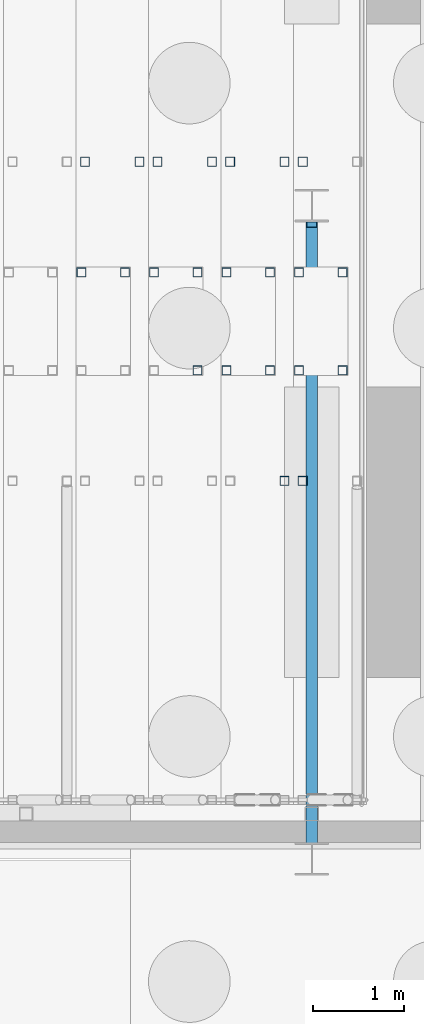
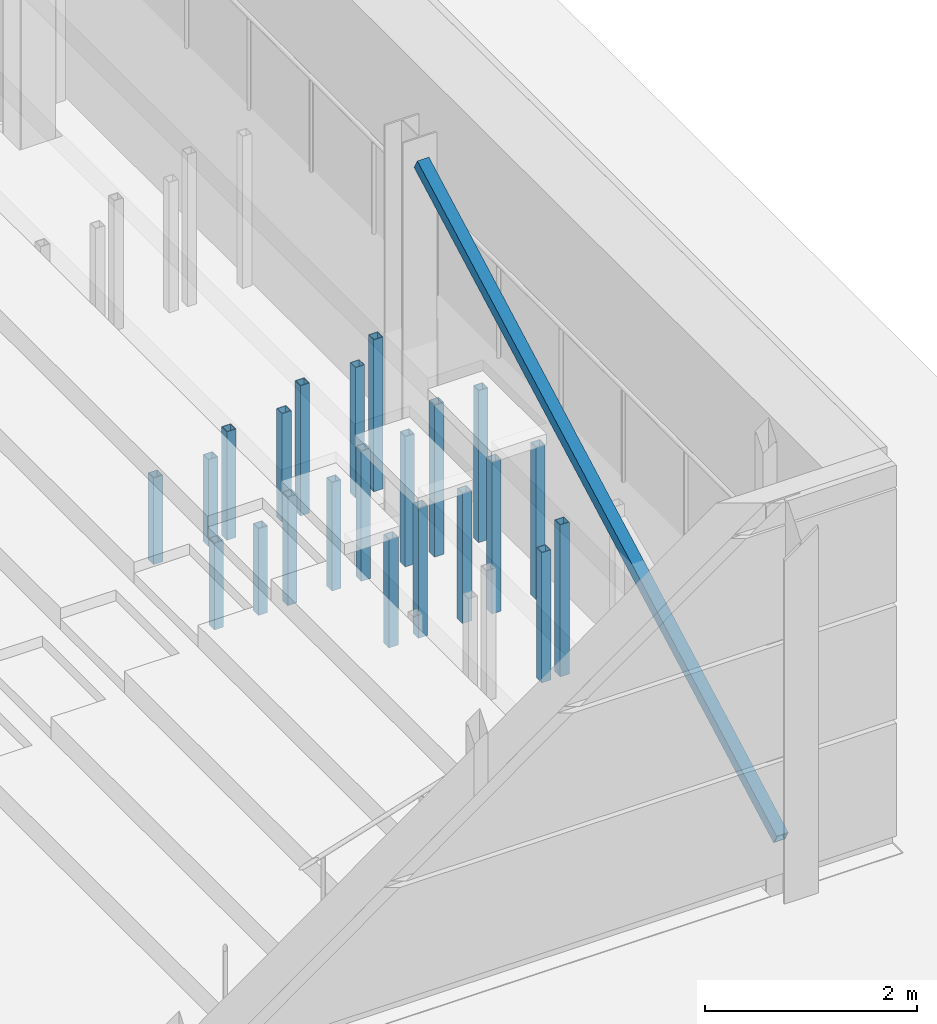
# One storey, part 50 of 139: 23 members.
"""IFC4 building model written with IfcOpenShell, lengths in metres."""

from ifc_helpers import new_model, si_unit, direction, frame, origin, origin_2d, place, context, subcontext, project, spatial, hollow_rectangle, extrude, material, material_profile, profile_set, type_object, element, save


model = new_model("IFC4")

# Units and contexts
model_context = context("Model", 3, precision=1e-05, world=origin(), true_north=direction((0.0, 1.0)))
body_context = subcontext(model_context, "Body", "Model", "MODEL_VIEW")
ifc_project = project(units=[si_unit("LENGTHUNIT", "METRE"), si_unit("AREAUNIT", "SQUARE_METRE"), si_unit("VOLUMEUNIT", "CUBIC_METRE"), si_unit("PLANEANGLEUNIT", "RADIAN"), si_unit("MASSUNIT", "GRAM", prefix="KILO")], contexts=[model_context])

# Site, building, storey
site_placement = place(None, origin())
site = spatial("IfcSite", under=ifc_project, at=site_placement, CompositionType="ELEMENT")
building_placement = place(site_placement, origin())
building = spatial("IfcBuilding", under=site, at=building_placement, Name="Verrick Yard Athletic Hall", CompositionType="ELEMENT")
storey_placement = place(building_placement, origin())
storey = spatial("IfcBuildingStorey", under=building, at=storey_placement, Name="L00", CompositionType="ELEMENT", Elevation=0.0)

# Members
ifc_material = material(Name="Structural steel HSS Class C 350W (CSA G40.20/G40.21)", Category="steel")
ifc_material_profile_1 = material_profile(ifc_material, hollow_rectangle(XDim=0.1015625, YDim=0.1015625, WallThickness=0.00634765625, at=origin_2d()), Name="HSS102x102x6.4")
ifc_profile_set_1 = profile_set([ifc_material_profile_1], Name="Structural steel HSS Class C 350W (CSA G40.20/G40.21)")
member_type_1 = type_object("IfcMemberType", Name="HB seating post HSS102x102x6.4", PredefinedType="POST", material=ifc_profile_set_1)
for number, where, z_axis, x_axis, name in (
    (1, (167.06005859375, 78.46533203125, 0.0), (0.0, 0.0, 1.0), (0.0, 1.0, 0.0), "HB-SP-RSA2-A1S5b"),
    (2, (167.5400390625, 78.46533203125, 0.0), (0.0, 0.0, 1.0), (0.0, 1.0, 0.0), "HB-SP-RSA2-A1S5d"),
    (3, (167.10009765625, 79.68359375, 0.0), (0.0, 0.0, 1.0), (0.0, 1.0, 0.0), "HB-SP-RSA2-T5f3"),
    (4, (167.699951171875, 79.68359375, 0.0), (0.0, 0.0, 1.0), (0.0, 1.0, 0.0), "HB-SP-RSA2-T5b3"),
):
    element("IfcMember", number, at=place(storey_placement, frame(where, z_axis=z_axis, x_axis=x_axis)), inside=storey, type_object=member_type_1, Name=name, PredefinedType="POST", context=body_context, shape_type="SweptSolid", body=[
        extrude(hollow_rectangle(XDim=0.1015625, YDim=0.1015625, WallThickness=0.00634765625, at=origin_2d()), origin(), (0.0, 0.0, 1.0), 1.0),
    ])
for number, where, z_axis, x_axis, name in (
    (5, (167.860107421875, 78.46533203125, 0.0), (0.0, 0.0, 1.0), (0.0, 1.0, 0.0), "HB-SP-RSA2-A1S6b"),
    (6, (168.340087890625, 77.385498046875, 0.0), (0.0, 0.0, 1.0), (0.0, 1.0, 0.0), "HB-SP-RSA2-A1S6c"),
    (7, (168.340087890625, 78.46533203125, 0.0), (0.0, 0.0, 1.0), (0.0, 1.0, 0.0), "HB-SP-RSA2-A1S6d"),
    (8, (167.89990234375, 79.68359375, 0.0), (0.0, 0.0, 1.0), (0.0, 1.0, 0.0), "HB-SP-RSA2-T6f3"),
    (9, (168.5, 79.68359375, 0.0), (0.0, 0.0, 1.0), (0.0, 1.0, 0.0), "HB-SP-RSA2-T6b3"),
):
    element("IfcMember", number, at=place(storey_placement, frame(where, z_axis=z_axis, x_axis=x_axis)), inside=storey, type_object=member_type_1, Name=name, PredefinedType="POST", context=body_context, shape_type="SweptSolid", body=[
        extrude(hollow_rectangle(XDim=0.1015625, YDim=0.1015625, WallThickness=0.00634765625, at=origin_2d()), origin(), (0.0, 0.0, 1.0), 1.25),
    ])
for number, where, z_axis, x_axis, name in (
    (10, (168.659912109375, 77.385498046875, 0.0), (0.0, 0.0, 1.0), (0.0, 1.0, 0.0), "HB-SP-RSA2-A1S7a"),
    (11, (168.659912109375, 78.46533203125, 0.0), (0.0, 0.0, 1.0), (0.0, 1.0, 0.0), "HB-SP-RSA2-A1S7b"),
    (12, (169.139892578125, 77.385498046875, 0.0), (0.0, 0.0, 1.0), (0.0, 1.0, 0.0), "HB-SP-RSA2-A1S7c"),
    (13, (169.139892578125, 78.46533203125, 0.0), (0.0, 0.0, 1.0), (0.0, 1.0, 0.0), "HB-SP-RSA2-A1S7d"),
    (14, (168.699951171875, 79.68359375, 0.0), (0.0, 0.0, 1.0), (0.0, 1.0, 0.0), "HB-SP-RSA2-T7f3"),
    (15, (169.300048828125, 76.167236328125, 0.0), (0.0, 0.0, 1.0), (0.0, 1.0, 0.0), "HB-SP-RSA2-T7b2"),
    (16, (169.300048828125, 79.68359375, 0.0), (0.0, 0.0, 1.0), (0.0, 1.0, 0.0), "HB-SP-RSA2-T7b3"),
):
    element("IfcMember", number, at=place(storey_placement, frame(where, z_axis=z_axis, x_axis=x_axis)), inside=storey, type_object=member_type_1, Name=name, PredefinedType="POST", context=body_context, shape_type="SweptSolid", body=[
        extrude(hollow_rectangle(XDim=0.1015625, YDim=0.1015625, WallThickness=0.00634765625, at=origin_2d()), origin(), (0.0, 0.0, 1.0), 1.5),
    ])
for number, where, z_axis, x_axis, name in (
    (17, (169.4599609375, 77.385498046875, 0.0), (0.0, 0.0, 1.0), (0.0, 1.0, 0.0), "HB-SP-RSA2-A1S8a"),
    (18, (169.4599609375, 78.46533203125, 0.0), (0.0, 0.0, 1.0), (0.0, 1.0, 0.0), "HB-SP-RSA2-A1S8b"),
    (19, (169.93994140625, 77.385498046875, 0.0), (0.0, 0.0, 1.0), (0.0, 1.0, 0.0), "HB-SP-RSA2-A1S8c"),
    (20, (169.93994140625, 78.46533203125, 0.0), (0.0, 0.0, 1.0), (0.0, 1.0, 0.0), "HB-SP-RSA2-A1S8d"),
    (21, (169.5, 76.167236328125, 0.0), (0.0, 0.0, 1.0), (0.0, 1.0, 0.0), "HB-SP-RSA2-T8f2"),
    (22, (169.5, 79.68359375, 0.0), (0.0, 0.0, 1.0), (0.0, 1.0, 0.0), "HB-SP-RSA2-T8f3"),
):
    element("IfcMember", number, at=place(storey_placement, frame(where, z_axis=z_axis, x_axis=x_axis)), inside=storey, type_object=member_type_1, Name=name, PredefinedType="POST", context=body_context, shape_type="SweptSolid", body=[
        extrude(hollow_rectangle(XDim=0.1015625, YDim=0.1015625, WallThickness=0.00634765625, at=origin_2d()), origin(), (0.0, 0.0, 1.0), 1.75),
    ])
ifc_material_profile_2 = material_profile(ifc_material, hollow_rectangle(XDim=0.126953125, YDim=0.126953125, WallThickness=0.009521484375, at=origin_2d()), Name="HSS127x127x9.5")
ifc_profile_set_2 = profile_set([ifc_material_profile_2], Name="Structural steel HSS Class C 350W (CSA G40.20/G40.21)")
member_type_2 = type_object("IfcMemberType", Name="HB wall brace HSS127x127x9.5", PredefinedType="BRACE", material=ifc_profile_set_2)
member_placement = place(storey_placement, frame((169.60009765625, 72.208251953125, 0.46630859375), z_axis=(0.0, 0.879758415008, 0.475421004187), x_axis=(-1.0, 0.0, 0.0)))
element("IfcMember", 23, at=member_placement, inside=storey, type_object=member_type_2, Name="HB-BRW-AE-1-L00", PredefinedType="BRACE", context=body_context, shape_type="SweptSolid", body=[
    extrude(hollow_rectangle(XDim=0.126953125, YDim=0.126953125, WallThickness=0.009521484375, at=origin_2d()), origin(), (0.0, 0.0, 1.0), 7.710693359375),
])

save(model, "model.ifc")
